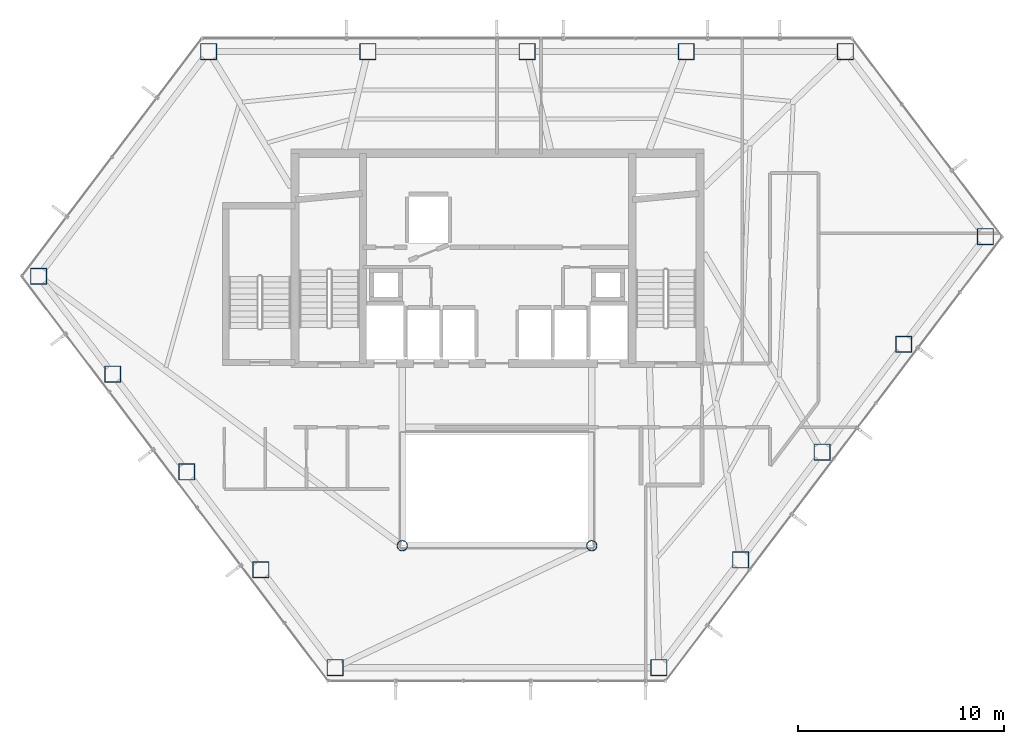
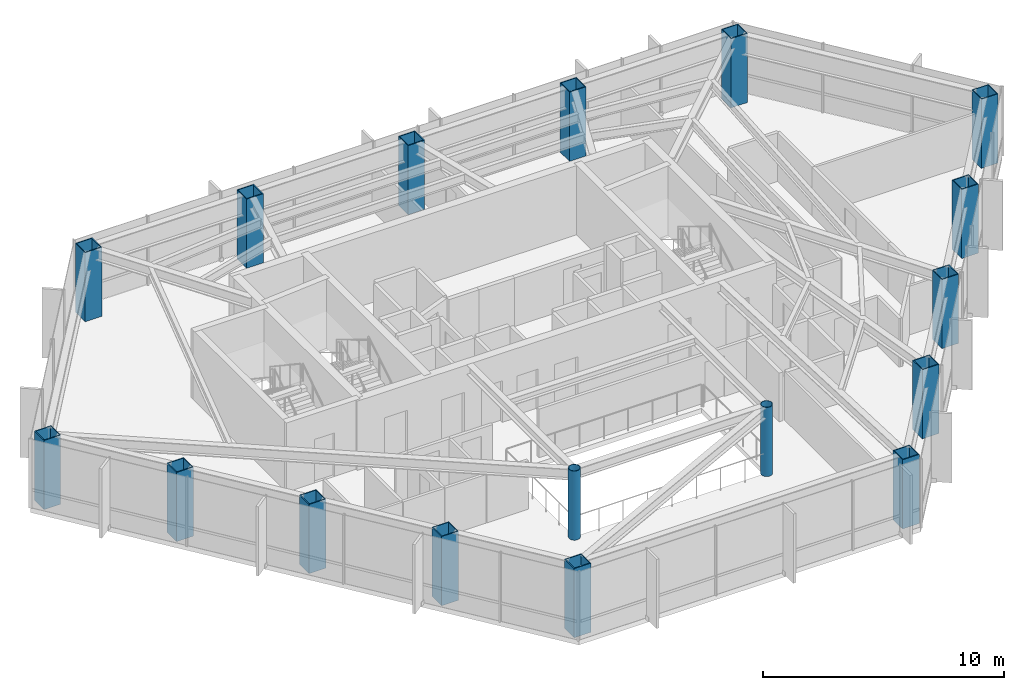
# One storey, part 1 of 28: 17 columns.
"""IFC4 building model written with IfcOpenShell, lengths in metres."""

from ifc_helpers import new_model, si_unit, direction, frame, origin, origin_2d, place, context, subcontext, project, spatial, hollow_rectangle, hollow_circle, extrude, material, material_profile, profile_set, type_object, element, save


model = new_model("IFC4")

# Units and contexts
model_context = context("Model", 3, precision=1e-05, world=origin(), true_north=direction((0.0, 1.0)))
body_context = subcontext(model_context, "Body", "Model", "MODEL_VIEW")
ifc_project = project(units=[si_unit("LENGTHUNIT", "METRE"), si_unit("AREAUNIT", "SQUARE_METRE"), si_unit("VOLUMEUNIT", "CUBIC_METRE"), si_unit("PLANEANGLEUNIT", "RADIAN"), si_unit("MASSUNIT", "GRAM", prefix="KILO")], contexts=[model_context])

# Site, building, storey
site_placement = place(None, origin())
site = spatial("IfcSite", under=ifc_project, at=site_placement, CompositionType="ELEMENT")
building_placement = place(site_placement, origin())
building = spatial("IfcBuilding", under=site, at=building_placement, Name="Zarrinselat Tower", CompositionType="ELEMENT")
storey_placement = place(building_placement, frame((0.0, 0.0, 145.860107421875)))
storey = spatial("IfcBuildingStorey", under=building, at=storey_placement, Name="L35", CompositionType="ELEMENT", Elevation=145.860107421875)

# Columns
ifc_material_1 = material(Name="Steel S355J2", Category="steel")
ifc_material_profile_1 = material_profile(ifc_material_1, hollow_circle(Radius=0.25390625, WallThickness=0.02001953125, at=origin_2d()), Name="CHS 508x20")
ifc_profile_set_1 = profile_set([ifc_material_profile_1], Name="Steel S355J2")
column_type_1 = type_object("IfcColumnType", Name="COL-CHS508", PredefinedType="COLUMN", material=ifc_profile_set_1)
for number, where, z_axis, x_axis, name in (
    (1, (33.800048828125, 24.39990234375, 0.0), (0.0, 0.0, 1.0), (1.0, 0.0, 0.0), "L35 Atrium Corner Column 1"),
    (2, (43.0, 24.39990234375, 0.0), (0.0, 0.0, 1.0), (1.0, 0.0, 0.0), "L35 Atrium Corner Column 2"),
):
    element("IfcColumn", number, at=place(storey_placement, frame(where, z_axis=z_axis, x_axis=x_axis)), inside=storey, type_object=column_type_1, Name=name, PredefinedType="COLUMN", context=body_context, shape_type="SweptSolid", body=[
        extrude(hollow_circle(Radius=0.25390625, WallThickness=0.02001953125, at=origin_2d()), origin(), (0.0, 0.0, 1.0), 3.5),
    ])
ifc_material_2 = material(Name="Steel S460M", Category="steel")
ifc_material_profile_2 = material_profile(ifc_material_2, hollow_rectangle(XDim=0.800048828125, YDim=0.800048828125, WallThickness=0.0400390625, at=origin_2d()), Name="SHS 800x800x40")
ifc_profile_set_2 = profile_set([ifc_material_profile_2], Name="Steel S460M")
column_type_2 = type_object("IfcColumnType", Name="COL-SHS800", PredefinedType="COLUMN", material=ifc_profile_set_2)
for number, where, z_axis, x_axis, name in (
    (3, (55.309814453125, 48.38330078125, 0.0), (0.0, 0.0, 1.0), (1.0, 0.0, 0.0), "L35 Framed-Tube Column T01"),
    (4, (47.58349609375, 48.38330078125, 0.0), (0.0, 0.0, 1.0), (1.0, 0.0, 0.0), "L35 Framed-Tube Column T02"),
    (5, (39.857421875, 48.38330078125, 0.0), (0.0, 0.0, 1.0), (1.0, 0.0, 0.0), "L35 Framed-Tube Column T03"),
    (6, (32.131103515625, 48.38330078125, 0.0), (0.0, 0.0, 1.0), (1.0, 0.0, 0.0), "L35 Framed-Tube Column T04"),
    (7, (24.40478515625, 48.38330078125, 0.0), (0.0, 0.0, 1.0), (1.0, 0.0, 0.0), "L35 Framed-Tube Column T05"),
    (8, (16.147216796875, 37.4833984375, 0.0), (0.0, 0.0, 1.0), (1.0, 0.0, 0.0), "L35 Framed-Tube Column T06"),
    (9, (19.74609375, 32.73291015625, 0.0), (0.0, 0.0, 1.0), (1.0, 0.0, 0.0), "L35 Framed-Tube Column T07"),
    (10, (23.344970703125, 27.982421875, 0.0), (0.0, 0.0, 1.0), (1.0, 0.0, 0.0), "L35 Framed-Tube Column T08"),
    (11, (26.943603515625, 23.23193359375, 0.0), (0.0, 0.0, 1.0), (1.0, 0.0, 0.0), "L35 Framed-Tube Column T09"),
    (12, (30.54248046875, 18.4814453125, 0.0), (0.0, 0.0, 1.0), (1.0, 0.0, 0.0), "L35 Framed-Tube Column T10"),
    (13, (46.257568359375, 18.4814453125, 0.0), (0.0, 0.0, 1.0), (1.0, 0.0, 0.0), "L35 Framed-Tube Column T11"),
    (14, (50.220703125, 23.712890625, 0.0), (0.0, 0.0, 1.0), (1.0, 0.0, 0.0), "L35 Framed-Tube Column T12"),
    (15, (54.183837890625, 28.944091796875, 0.0), (0.0, 0.0, 1.0), (1.0, 0.0, 0.0), "L35 Framed-Tube Column T13"),
    (16, (58.14697265625, 34.175537109375, 0.0), (0.0, 0.0, 1.0), (1.0, 0.0, 0.0), "L35 Framed-Tube Column T14"),
    (17, (62.110107421875, 39.406982421875, 0.0), (0.0, 0.0, 1.0), (1.0, 0.0, 0.0), "L35 Framed-Tube Column T15"),
):
    element("IfcColumn", number, at=place(storey_placement, frame(where, z_axis=z_axis, x_axis=x_axis)), inside=storey, type_object=column_type_2, Name=name, PredefinedType="COLUMN", context=body_context, shape_type="SweptSolid", body=[
        extrude(hollow_rectangle(XDim=0.800048828125, YDim=0.800048828125, WallThickness=0.0400390625, at=origin_2d()), origin(), (0.0, 0.0, 1.0), 3.5),
    ])

save(model, "model.ifc")
